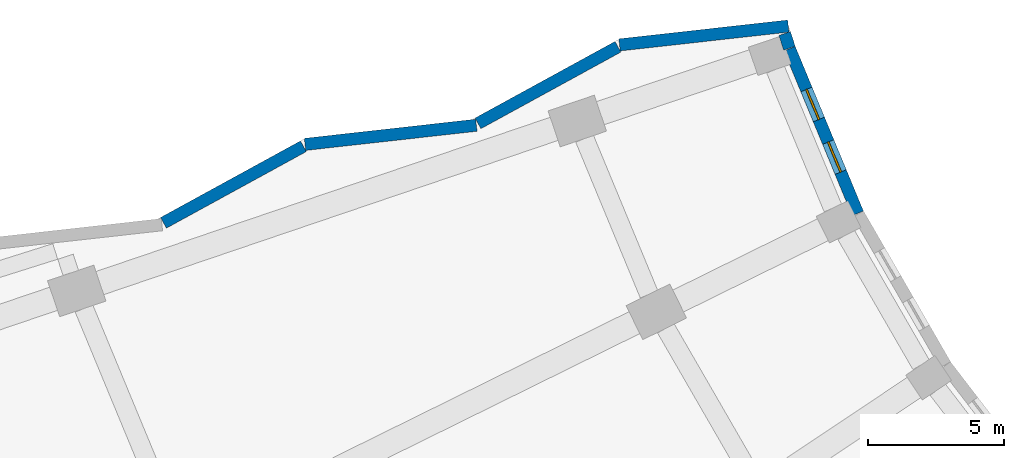
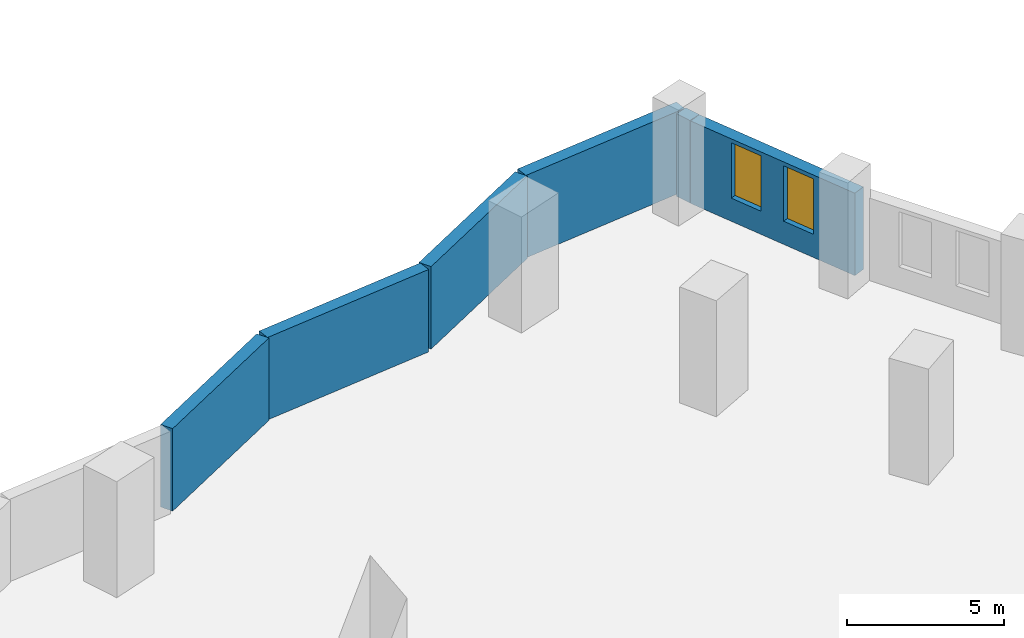
# One storey, part 13 of 20: 6 walls, 2 windows, 2 openings.
"""IFC4 building model written with IfcOpenShell, lengths in metres."""

from ifc_helpers import new_model, si_unit, direction, frame, frame_2d, origin, place, context, subcontext, project, spatial, rectangle, extrude, material, layer, layer_set, type_object, element, fill, save


model = new_model("IFC4")

# Units and contexts
model_context = context("Model", 3, precision=1e-05, world=origin(), true_north=direction((0.0, 1.0)))
body_context = subcontext(model_context, "Body", "Model", "MODEL_VIEW")
ifc_project = project(units=[si_unit("LENGTHUNIT", "METRE"), si_unit("AREAUNIT", "SQUARE_METRE"), si_unit("VOLUMEUNIT", "CUBIC_METRE"), si_unit("PLANEANGLEUNIT", "RADIAN"), si_unit("MASSUNIT", "GRAM", prefix="KILO")], contexts=[model_context])

# Site, building, storey
site_placement = place(None, origin())
site = spatial("IfcSite", under=ifc_project, at=site_placement, CompositionType="ELEMENT")
building_placement = place(site_placement, origin())
building = spatial("IfcBuilding", under=site, at=building_placement, Name="Qamariyya Broadcast Tower", CompositionType="ELEMENT")
storey_placement = place(building_placement, frame((0.0, 0.0, 27.0)))
storey = spatial("IfcBuildingStorey", under=building, at=storey_placement, Name="L03", CompositionType="ELEMENT", Elevation=27.0)

# Walls
ifc_material_1 = material(Name="Precast concrete C40/50 with terracotta facing", Category="masonry")
ifc_layer = layer(ifc_material_1, 0.449951171875)
ifc_layer_set = layer_set([ifc_layer], Name="Precast concrete C40/50 wall 450, terracotta faced")
wall_type = type_object("IfcWallType", Name="Precast concrete C40/50 wall 450, terracotta faced", PredefinedType="SOLIDWALL", material=ifc_layer_set)
wall_1_placement = place(storey_placement, frame((-47.37255859375, -15.220947265625, 0.0), z_axis=(0.0, 0.0, 1.0), x_axis=(-0.993827533543, -0.110936168908, 0.0)))
element("IfcWall", 1, at=wall_1_placement, inside=storey, type_object=wall_type, Name="e-wl-L03-capW0", PredefinedType="SOLIDWALL", context=body_context, shape_type="SweptSolid", body=[
    extrude(rectangle(XDim=6.265380859375, YDim=0.449951171875, at=frame_2d((3.1328125, 0.0))), origin(), (0.0, 0.0, 1.0), 3.199951171875),
])
wall_2_placement = place(storey_placement, frame((-53.65869140625, -15.9853515625, 0.0), z_axis=(0.0, 0.0, 1.0), x_axis=(-0.87728135657, -0.479976480064, 0.0)))
element("IfcWall", 2, at=wall_2_placement, inside=storey, type_object=wall_type, Name="e-wl-L03-capW1", PredefinedType="SOLIDWALL", context=body_context, shape_type="SweptSolid", body=[
    extrude(rectangle(XDim=5.885498046875, YDim=0.449951171875, at=frame_2d((2.94287109375, 0.0))), origin(), (0.0, 0.0, 1.0), 3.199951171875),
])
wall_3_placement = place(storey_placement, frame((-58.881103515625, -18.87939453125, 0.0), z_axis=(0.0, 0.0, 1.0), x_axis=(-0.993818963433, -0.111012917816, 0.0)))
element("IfcWall", 3, at=wall_3_placement, inside=storey, type_object=wall_type, Name="e-wl-L03-capW2", PredefinedType="SOLIDWALL", context=body_context, shape_type="SweptSolid", body=[
    extrude(rectangle(XDim=6.360107421875, YDim=0.449951171875, at=frame_2d((3.18017578125, 0.0))), origin(), (0.0, 0.0, 1.0), 3.199951171875),
])
wall_4_placement = place(storey_placement, frame((-65.26123046875, -19.654541015625, 0.0), z_axis=(0.0, 0.0, 1.0), x_axis=(-0.877230259454, -0.480069861477, 0.0)))
element("IfcWall", 4, at=wall_4_placement, inside=storey, type_object=wall_type, Name="e-wl-L03-capW3", PredefinedType="SOLIDWALL", context=body_context, shape_type="SweptSolid", body=[
    extrude(rectangle(XDim=5.883544921875, YDim=0.449951171875, at=frame_2d((2.94189453125, 0.0))), origin(), (0.0, 0.0, 1.0), 3.199951171875),
])
wall_5_placement = place(storey_placement, frame((-47.330810546875, -16.03955078125, 0.0), z_axis=(0.0, 0.0, 1.0), x_axis=(-0.311474670585, 0.950254455177, 0.0)))
element("IfcWall", 5, at=wall_5_placement, inside=storey, type_object=wall_type, Name="e-wl-L03-in00", PredefinedType="SOLIDWALL", context=body_context, shape_type="SweptSolid", body=[
    extrude(rectangle(XDim=0.570556640625, YDim=0.449951171875, at=frame_2d((0.28515625, 0.0))), origin(), (0.0, 0.0, 1.0), 3.199951171875),
])

# Wall, openings, windows
wall_6_placement = place(storey_placement, frame((-44.81005859375, -22.13134765625, 0.0), z_axis=(0.0, 0.0, 1.0), x_axis=(-0.382692796414, 0.92387565374, 0.0)))
wall_6 = element("IfcWall", 6, at=wall_6_placement, inside=storey, type_object=wall_type, Name="e-wl-L03-in10", PredefinedType="SOLIDWALL", context=body_context, shape_type="SweptSolid", body=[
    extrude(rectangle(XDim=6.575927734375, YDim=0.449951171875, at=frame_2d((3.2880859375, 0.0))), origin(), (0.0, 0.0, 1.0), 3.199951171875),
])
opening_1_placement = place(wall_6_placement, frame((3.74853515625, 0.0, 0.89990234375)))
opening_1 = element("IfcOpeningElement", 7, at=opening_1_placement, cuts=wall_6, Name="Opening W3", PredefinedType="OPENING", context=body_context, shape_type="SweptSolid", body=[
    extrude(rectangle(XDim=1.199951171875, YDim=2.14990234375, at=frame_2d((0.60009765625, 1.074951171875))), frame((0.0, 0.23486328125, 0.0), z_axis=(0.0, -1.0, 0.0), x_axis=(1.0, 0.0, 0.0)), (0.0, 0.0, 1.0), 0.469970703125),
])
opening_2_placement = place(wall_6_placement, frame((1.6484375, 0.0, 0.89990234375)))
opening_2 = element("IfcOpeningElement", 8, at=opening_2_placement, cuts=wall_6, Name="Opening W3", PredefinedType="OPENING", context=body_context, shape_type="SweptSolid", body=[
    extrude(rectangle(XDim=1.199951171875, YDim=2.14990234375, at=frame_2d((0.60009765625, 1.074951171875))), frame((0.0, 0.23486328125, 0.0), z_axis=(0.0, -1.0, 0.0), x_axis=(1.0, 0.0, 0.0)), (0.0, 0.0, 1.0), 0.469970703125),
])
ifc_material_2 = material(Name="Clear low-e double glazed unit in aluminium frame", Category="aluminium")
window_type = type_object("IfcWindowType", Name="Podium window 1200 x 2150", PartitioningType="SINGLE_PANEL", PredefinedType="WINDOW", material=ifc_material_2)
window_1_placement = place(opening_1_placement, origin())
window_1 = element("IfcWindow", 9, at=window_1_placement, inside=storey, type_object=window_type, Name="e-w-L03-in01a", OverallHeight=2.14990234375, OverallWidth=1.199951171875, PartitioningType="SINGLE_PANEL", PredefinedType="WINDOW", context=body_context, shape_type="SweptSolid", body=[
    extrude(rectangle(XDim=1.199951171875, YDim=2.14990234375, at=frame_2d((0.60009765625, 1.074951171875))), frame((0.0, 0.030029296875, 0.0), z_axis=(0.0, -1.0, 0.0), x_axis=(1.0, 0.0, 0.0)), (0.0, 0.0, 1.0), 0.06005859375),
])
fill(opening_1, window_1)
window_2_placement = place(opening_2_placement, origin())
window_2 = element("IfcWindow", 10, at=window_2_placement, inside=storey, type_object=window_type, Name="e-w-L03-in01b", OverallHeight=2.14990234375, OverallWidth=1.199951171875, PartitioningType="SINGLE_PANEL", PredefinedType="WINDOW", context=body_context, shape_type="SweptSolid", body=[
    extrude(rectangle(XDim=1.199951171875, YDim=2.14990234375, at=frame_2d((0.60009765625, 1.074951171875))), frame((0.0, 0.030029296875, 0.0), z_axis=(0.0, -1.0, 0.0), x_axis=(1.0, 0.0, 0.0)), (0.0, 0.0, 1.0), 0.06005859375),
])
fill(opening_2, window_2)

save(model, "model.ifc")
